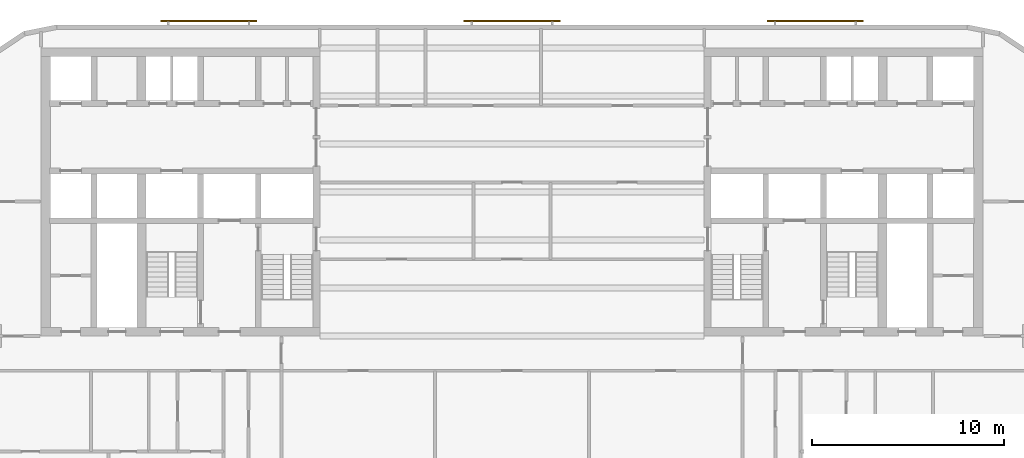
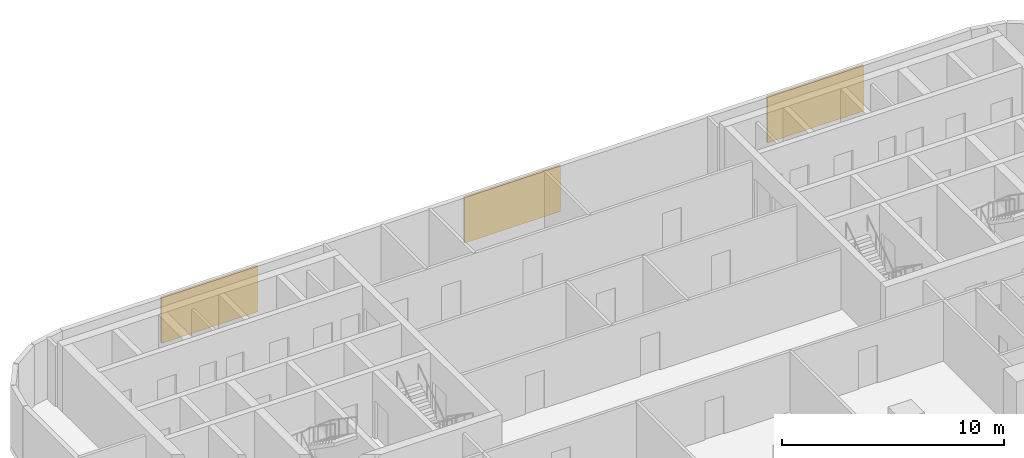
# One storey, part 10 of 11: 3 shading devices.
"""IFC4 building model written with IfcOpenShell, lengths in metres."""

from ifc_helpers import new_model, si_unit, direction, frame, origin, origin_2d, place, context, subcontext, project, spatial, rectangle, extrude, material, layer, layer_set, type_object, element, save


model = new_model("IFC4")

# Units and contexts
model_context = context("Model", 3, precision=1e-05, world=origin(), true_north=direction((0.0, 1.0)))
body_context = subcontext(model_context, "Body", "Model", "MODEL_VIEW")
ifc_project = project(units=[si_unit("LENGTHUNIT", "METRE"), si_unit("AREAUNIT", "SQUARE_METRE"), si_unit("VOLUMEUNIT", "CUBIC_METRE"), si_unit("PLANEANGLEUNIT", "RADIAN"), si_unit("MASSUNIT", "GRAM", prefix="KILO")], contexts=[model_context])

# Site, building, storey
site_placement = place(None, origin())
site = spatial("IfcSite", under=ifc_project, at=site_placement, CompositionType="ELEMENT")
building_placement = place(site_placement, origin())
building = spatial("IfcBuilding", under=site, at=building_placement, Name="Torana Hotel and Residences", CompositionType="ELEMENT")
storey_placement = place(building_placement, frame((0.0, 0.0, 152.39990234375)))
storey = spatial("IfcBuildingStorey", under=building, at=storey_placement, Name="L39", CompositionType="ELEMENT", Elevation=152.39990234375)

# Shading devices
ifc_material = material(Name="Concrete C40/50 precast", Category="concrete")
ifc_layer = layer(ifc_material, 0.10009765625)
ifc_layer_set = layer_set([ifc_layer], Name="SC1 PERFORATED BLOCK SCREEN PANEL 100")
shading_device_type = type_object("IfcShadingDeviceType", Name="SC1 PERFORATED BLOCK SCREEN PANEL 100", PredefinedType="USERDEFINED", material=ifc_layer_set)
for number, where, z_axis, x_axis, name in (
    (1, (15.78369140625, 1.39990234375, 0.5), (0.0, 0.0, 1.0), (-1.0, 0.0, 0.0), "Perforated block screen L39"),
    (2, (0.0, 1.39990234375, 0.5), (0.0, 0.0, 1.0), (-1.0, 0.0, 0.0), "Perforated block screen L39"),
    (3, (-15.78369140625, 1.39990234375, 0.5), (0.0, 0.0, 1.0), (-1.0, 0.0, 0.0), "Perforated block screen L39"),
):
    element("IfcShadingDevice", number, at=place(storey_placement, frame(where, z_axis=z_axis, x_axis=x_axis)), inside=storey, type_object=shading_device_type, Name=name, ObjectType="SCREEN", PredefinedType="USERDEFINED", context=body_context, shape_type="SweptSolid", body=[
        extrude(rectangle(XDim=5.0, YDim=0.10009765625, at=origin_2d()), origin(), (0.0, 0.0, 1.0), 2.52001953125),
    ])

save(model, "model.ifc")
